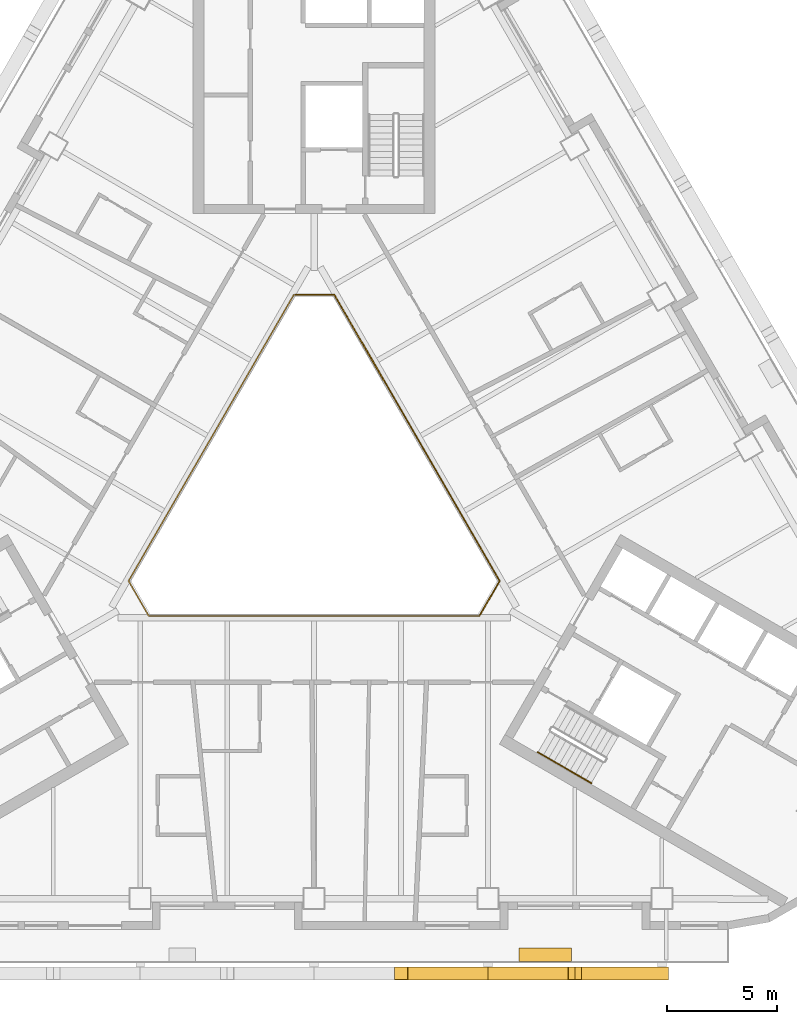
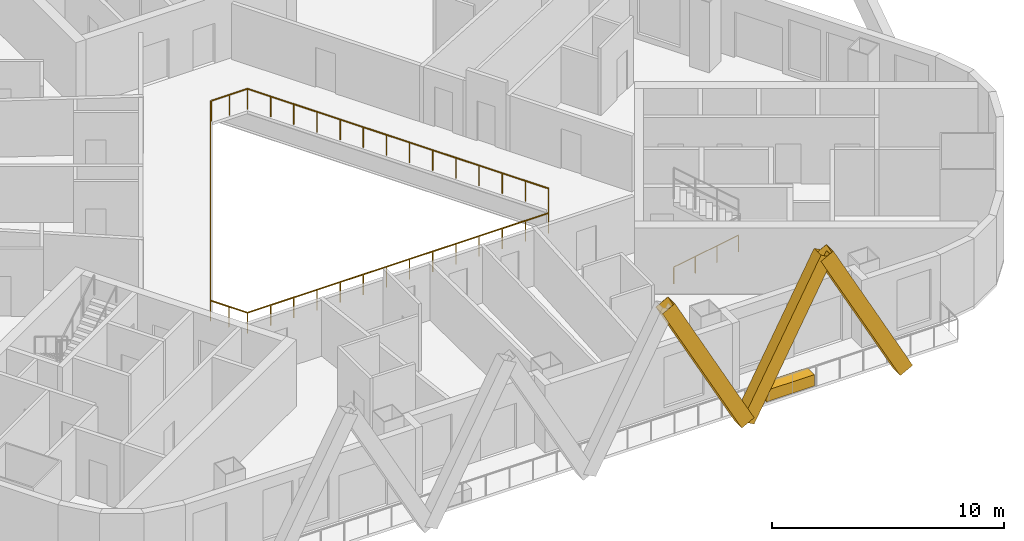
# One storey, part 11 of 14: 3 railings, 3 shading devices, 1 covering.
"""IFC4 building model written with IfcOpenShell, lengths in metres."""

from ifc_helpers import new_model, si_unit, direction, frame, origin, origin_2d, place, context, subcontext, project, spatial, rectangle, hollow_rectangle, circle, extrude, material, material_profile, profile_set, type_object, element, save


model = new_model("IFC4")

# Units and contexts
model_context = context("Model", 3, precision=1e-05, world=origin(), true_north=direction((0.0, 1.0)))
body_context = subcontext(model_context, "Body", "Model", "MODEL_VIEW")
ifc_project = project(units=[si_unit("LENGTHUNIT", "METRE"), si_unit("AREAUNIT", "SQUARE_METRE"), si_unit("VOLUMEUNIT", "CUBIC_METRE"), si_unit("PLANEANGLEUNIT", "RADIAN"), si_unit("MASSUNIT", "GRAM", prefix="KILO")], contexts=[model_context])

# Site, building, storey
site_placement = place(None, origin())
site = spatial("IfcSite", under=ifc_project, at=site_placement, CompositionType="ELEMENT")
building_placement = place(site_placement, origin())
building = spatial("IfcBuilding", under=site, at=building_placement, Name="Apuvela Tower Hotel", CompositionType="ELEMENT")
storey_placement = place(building_placement, frame((0.0, 0.0, 76.10009765625)))
storey = spatial("IfcBuildingStorey", under=building, at=storey_placement, Name="L16", CompositionType="ELEMENT", Elevation=76.10009765625)

# Railing
ifc_material_1 = material(Name="Stainless steel 316 handrail", Category="steel")
railing_type_1 = type_object("IfcRailingType", Name="COR-HANDRAIL-900", PredefinedType="HANDRAIL", material=ifc_material_1)
railing_1_placement = place(storey_placement, frame((10.1689453125, -11.5869140625, 0.16796875)))
element("IfcRailing", 1, at=railing_1_placement, inside=storey, type_object=railing_type_1, Name="L16 ST3 stair handrail 1", PredefinedType="HANDRAIL", context=body_context, shape_type="SweptSolid", body=[
    extrude(circle(Radius=0.02392578125, at=origin_2d()), frame((0.0, 0.0, 0.8759765625), z_axis=(0.742390482028, -0.42860119049, 0.514934356695), x_axis=(0.49998411664, 0.866034573852, 0.0)), (0.0, 0.0, 1.0), 3.26611328125),
    extrude(rectangle(XDim=0.0419921875, YDim=0.0419921875, at=origin_2d()), origin(), (0.0, 0.0, 1.0), 0.851806640625),
    extrude(rectangle(XDim=0.0419921875, YDim=0.0419921875, at=origin_2d()), frame((0.808349609375, -0.466552734375, 0.560546875)), (0.0, 0.0, 1.0), 0.851806640625),
    extrude(rectangle(XDim=0.0419921875, YDim=0.0419921875, at=origin_2d()), frame((1.616455078125, -0.933349609375, 1.121337890625)), (0.0, 0.0, 1.0), 0.851806640625),
    extrude(rectangle(XDim=0.0419921875, YDim=0.0419921875, at=origin_2d()), frame((2.4248046875, -1.39990234375, 1.681884765625)), (0.0, 0.0, 1.0), 0.851806640625),
])

# Shading devices
ifc_material_2 = material(Name="Aluminium 6063-T6, black anodised", Category="aluminium")
ifc_material_profile = material_profile(ifc_material_2, hollow_rectangle(XDim=0.60009765625, YDim=0.699951171875, WallThickness=0.011962890625, at=origin_2d()), Name="AL BOX 700x600x12")
ifc_profile_set = profile_set([ifc_material_profile], Name="Aluminium 6063-T6, black anodised")
shading_device_type = type_object("IfcShadingDeviceType", Name="ENV-FIN-700x600", PredefinedType="USERDEFINED", material=ifc_profile_set)
for number, where, z_axis, x_axis, name in (
    (2, (7.89990234375, -21.6298828125, -0.10009765625), (-0.470897892863, 0.0, 0.882187720668), (0.0, -1.0, 0.0), "Lattice fin S38"),
    (3, (7.89990234375, -21.6298828125, -0.10009765625), (0.470920543904, 0.0, 0.882175629526), (0.0, 1.0, 0.0), "Lattice fin S39"),
    (4, (15.800048828125, -21.6298828125, -0.10009765625), (-0.470897892863, 0.0, 0.882187720668), (0.0, -1.0, 0.0), "Lattice fin S40"),
):
    element("IfcShadingDevice", number, at=place(storey_placement, frame(where, z_axis=z_axis, x_axis=x_axis)), inside=storey, type_object=shading_device_type, Name=name, ObjectType="FIN", PredefinedType="USERDEFINED", context=body_context, shape_type="SweptSolid", body=[
        extrude(hollow_rectangle(XDim=0.60009765625, YDim=0.699951171875, WallThickness=0.011962890625, at=origin_2d()), origin(), (0.0, 0.0, 1.0), 8.38818359375),
    ])

# Railings
ifc_material_3 = material(Name="Stainless steel 316 rail with laminated glass infill", Category="steel")
railing_type_2 = type_object("IfcRailingType", Name="ENV-GUARD-1100", PredefinedType="GUARDRAIL", material=ifc_material_3)
railing_2_placement = place(storey_placement, frame((-0.923828125, 9.199951171875, 0.0)))
element("IfcRailing", 5, at=railing_2_placement, inside=storey, type_object=railing_type_2, Name="Atrium void guard A L16", PredefinedType="GUARDRAIL", context=body_context, shape_type="SweptSolid", body=[
    extrude(rectangle(XDim=0.050048828125, YDim=0.050048828125, at=origin_2d()), frame((0.0, 0.0, 1.0751953125), z_axis=(-0.499990886379, -0.866030665472, 0.0), x_axis=(0.866030665472, -0.499990886379, 0.0)), (0.0, 0.0, 1.0), 15.010986328125),
    extrude(rectangle(XDim=0.050048828125, YDim=0.050048828125, at=origin_2d()), frame((-7.50537109375, -13.0, 1.0751953125), z_axis=(0.499962699187, -0.866046938348, 0.0), x_axis=(0.866046938348, 0.499962699187, 0.0)), (0.0, 0.0, 1.0), 1.847412109375),
    extrude(rectangle(XDim=0.050048828125, YDim=0.050048828125, at=origin_2d()), frame((-6.581787109375, -14.599853515625, 1.0751953125), z_axis=(1.0, 0.0, 0.0), x_axis=(0.0, 1.0, 0.0)), (0.0, 0.0, 1.0), 15.01123046875),
    extrude(rectangle(XDim=0.0400390625, YDim=0.0400390625, at=origin_2d()), origin(), (0.0, 0.0, 1.0), 1.050048828125),
    extrude(rectangle(XDim=0.0400390625, YDim=0.0400390625, at=origin_2d()), frame((-0.577392578125, -1.0, 0.0)), (0.0, 0.0, 1.0), 1.050048828125),
    extrude(rectangle(XDim=0.0400390625, YDim=0.0400390625, at=origin_2d()), frame((-1.15478515625, -2.0, 0.0)), (0.0, 0.0, 1.0), 1.050048828125),
    extrude(rectangle(XDim=0.0400390625, YDim=0.0400390625, at=origin_2d()), frame((-1.73193359375, -3.0, 0.0)), (0.0, 0.0, 1.0), 1.050048828125),
    extrude(rectangle(XDim=0.0400390625, YDim=0.0400390625, at=origin_2d()), frame((-2.309326171875, -4.0, 0.0)), (0.0, 0.0, 1.0), 1.050048828125),
    extrude(rectangle(XDim=0.0400390625, YDim=0.0400390625, at=origin_2d()), frame((-2.88671875, -5.0, 0.0)), (0.0, 0.0, 1.0), 1.050048828125),
    extrude(rectangle(XDim=0.0400390625, YDim=0.0400390625, at=origin_2d()), frame((-3.464111328125, -6.0, 0.0)), (0.0, 0.0, 1.0), 1.050048828125),
    extrude(rectangle(XDim=0.0400390625, YDim=0.0400390625, at=origin_2d()), frame((-4.041259765625, -7.0, 0.0)), (0.0, 0.0, 1.0), 1.050048828125),
    extrude(rectangle(XDim=0.0400390625, YDim=0.0400390625, at=origin_2d()), frame((-4.61865234375, -8.0, 0.0)), (0.0, 0.0, 1.0), 1.050048828125),
    extrude(rectangle(XDim=0.0400390625, YDim=0.0400390625, at=origin_2d()), frame((-5.196044921875, -9.0, 0.0)), (0.0, 0.0, 1.0), 1.050048828125),
    extrude(rectangle(XDim=0.0400390625, YDim=0.0400390625, at=origin_2d()), frame((-5.7734375, -10.0, 0.0)), (0.0, 0.0, 1.0), 1.050048828125),
    extrude(rectangle(XDim=0.0400390625, YDim=0.0400390625, at=origin_2d()), frame((-6.3505859375, -11.0, 0.0)), (0.0, 0.0, 1.0), 1.050048828125),
    extrude(rectangle(XDim=0.0400390625, YDim=0.0400390625, at=origin_2d()), frame((-6.927978515625, -12.0, 0.0)), (0.0, 0.0, 1.0), 1.050048828125),
    extrude(rectangle(XDim=0.0400390625, YDim=0.0400390625, at=origin_2d()), frame((-7.50537109375, -13.0, 0.0)), (0.0, 0.0, 1.0), 1.050048828125),
    extrude(rectangle(XDim=0.0400390625, YDim=0.0400390625, at=origin_2d()), frame((-7.04345703125, -13.7998046875, 0.0)), (0.0, 0.0, 1.0), 1.050048828125),
    extrude(rectangle(XDim=0.0400390625, YDim=0.0400390625, at=origin_2d()), frame((-6.581787109375, -14.599853515625, 0.0)), (0.0, 0.0, 1.0), 1.050048828125),
    extrude(rectangle(XDim=0.0400390625, YDim=0.0400390625, at=origin_2d()), frame((-5.427001953125, -14.599853515625, 0.0)), (0.0, 0.0, 1.0), 1.050048828125),
    extrude(rectangle(XDim=0.0400390625, YDim=0.0400390625, at=origin_2d()), frame((-4.2724609375, -14.599853515625, 0.0)), (0.0, 0.0, 1.0), 1.050048828125),
    extrude(rectangle(XDim=0.0400390625, YDim=0.0400390625, at=origin_2d()), frame((-3.11767578125, -14.599853515625, 0.0)), (0.0, 0.0, 1.0), 1.050048828125),
    extrude(rectangle(XDim=0.0400390625, YDim=0.0400390625, at=origin_2d()), frame((-1.962890625, -14.599853515625, 0.0)), (0.0, 0.0, 1.0), 1.050048828125),
    extrude(rectangle(XDim=0.0400390625, YDim=0.0400390625, at=origin_2d()), frame((-0.808349609375, -14.599853515625, 0.0)), (0.0, 0.0, 1.0), 1.050048828125),
    extrude(rectangle(XDim=0.0400390625, YDim=0.0400390625, at=origin_2d()), frame((0.346435546875, -14.599853515625, 0.0)), (0.0, 0.0, 1.0), 1.050048828125),
    extrude(rectangle(XDim=0.0400390625, YDim=0.0400390625, at=origin_2d()), frame((1.501220703125, -14.599853515625, 0.0)), (0.0, 0.0, 1.0), 1.050048828125),
    extrude(rectangle(XDim=0.0400390625, YDim=0.0400390625, at=origin_2d()), frame((2.656005859375, -14.599853515625, 0.0)), (0.0, 0.0, 1.0), 1.050048828125),
    extrude(rectangle(XDim=0.0400390625, YDim=0.0400390625, at=origin_2d()), frame((3.810546875, -14.599853515625, 0.0)), (0.0, 0.0, 1.0), 1.050048828125),
    extrude(rectangle(XDim=0.0400390625, YDim=0.0400390625, at=origin_2d()), frame((4.96533203125, -14.599853515625, 0.0)), (0.0, 0.0, 1.0), 1.050048828125),
    extrude(rectangle(XDim=0.0400390625, YDim=0.0400390625, at=origin_2d()), frame((6.1201171875, -14.599853515625, 0.0)), (0.0, 0.0, 1.0), 1.050048828125),
    extrude(rectangle(XDim=0.0400390625, YDim=0.0400390625, at=origin_2d()), frame((7.274658203125, -14.599853515625, 0.0)), (0.0, 0.0, 1.0), 1.050048828125),
    extrude(rectangle(XDim=0.0400390625, YDim=0.0400390625, at=origin_2d()), frame((8.429443359375, -14.599853515625, 0.0)), (0.0, 0.0, 1.0), 1.050048828125),
])
railing_3_placement = place(storey_placement, frame((7.53564453125, -5.347900390625, 0.0)))
element("IfcRailing", 6, at=railing_3_placement, inside=storey, type_object=railing_type_2, Name="Atrium void guard B L16", PredefinedType="GUARDRAIL", context=body_context, shape_type="SweptSolid", body=[
    extrude(rectangle(XDim=0.050048828125, YDim=0.050048828125, at=origin_2d()), frame((0.0, 0.0, 1.0751953125), z_axis=(0.499958946799, 0.866049104564, 0.0), x_axis=(-0.866049104564, 0.499958946799, 0.0)), (0.0, 0.0, 1.0), 1.787353515625),
    extrude(rectangle(XDim=0.050048828125, YDim=0.050048828125, at=origin_2d()), frame((0.8935546875, 1.5478515625, 1.0751953125), z_axis=(-0.499990886379, 0.866030665472, 0.0), x_axis=(-0.866030665472, -0.499990886379, 0.0)), (0.0, 0.0, 1.0), 15.010986328125),
    extrude(rectangle(XDim=0.050048828125, YDim=0.050048828125, at=origin_2d()), frame((-6.61181640625, 14.5478515625, 1.0751953125), z_axis=(-1.0, 0.0, 0.0), x_axis=(0.0, -1.0, 0.0)), (0.0, 0.0, 1.0), 1.78759765625),
    extrude(rectangle(XDim=0.0400390625, YDim=0.0400390625, at=origin_2d()), origin(), (0.0, 0.0, 1.0), 1.050048828125),
    extrude(rectangle(XDim=0.0400390625, YDim=0.0400390625, at=origin_2d()), frame((0.44677734375, 0.77392578125, 0.0)), (0.0, 0.0, 1.0), 1.050048828125),
    extrude(rectangle(XDim=0.0400390625, YDim=0.0400390625, at=origin_2d()), frame((0.8935546875, 1.5478515625, 0.0)), (0.0, 0.0, 1.0), 1.050048828125),
    extrude(rectangle(XDim=0.0400390625, YDim=0.0400390625, at=origin_2d()), frame((0.316162109375, 2.5478515625, 0.0)), (0.0, 0.0, 1.0), 1.050048828125),
    extrude(rectangle(XDim=0.0400390625, YDim=0.0400390625, at=origin_2d()), frame((-0.26123046875, 3.5478515625, 0.0)), (0.0, 0.0, 1.0), 1.050048828125),
    extrude(rectangle(XDim=0.0400390625, YDim=0.0400390625, at=origin_2d()), frame((-0.83837890625, 4.5478515625, 0.0)), (0.0, 0.0, 1.0), 1.050048828125),
    extrude(rectangle(XDim=0.0400390625, YDim=0.0400390625, at=origin_2d()), frame((-1.415771484375, 5.5478515625, 0.0)), (0.0, 0.0, 1.0), 1.050048828125),
    extrude(rectangle(XDim=0.0400390625, YDim=0.0400390625, at=origin_2d()), frame((-1.9931640625, 6.5478515625, 0.0)), (0.0, 0.0, 1.0), 1.050048828125),
    extrude(rectangle(XDim=0.0400390625, YDim=0.0400390625, at=origin_2d()), frame((-2.570556640625, 7.5478515625, 0.0)), (0.0, 0.0, 1.0), 1.050048828125),
    extrude(rectangle(XDim=0.0400390625, YDim=0.0400390625, at=origin_2d()), frame((-3.147705078125, 8.5478515625, 0.0)), (0.0, 0.0, 1.0), 1.050048828125),
    extrude(rectangle(XDim=0.0400390625, YDim=0.0400390625, at=origin_2d()), frame((-3.72509765625, 9.5478515625, 0.0)), (0.0, 0.0, 1.0), 1.050048828125),
    extrude(rectangle(XDim=0.0400390625, YDim=0.0400390625, at=origin_2d()), frame((-4.302490234375, 10.5478515625, 0.0)), (0.0, 0.0, 1.0), 1.050048828125),
    extrude(rectangle(XDim=0.0400390625, YDim=0.0400390625, at=origin_2d()), frame((-4.8798828125, 11.5478515625, 0.0)), (0.0, 0.0, 1.0), 1.050048828125),
    extrude(rectangle(XDim=0.0400390625, YDim=0.0400390625, at=origin_2d()), frame((-5.45703125, 12.5478515625, 0.0)), (0.0, 0.0, 1.0), 1.050048828125),
    extrude(rectangle(XDim=0.0400390625, YDim=0.0400390625, at=origin_2d()), frame((-6.034423828125, 13.5478515625, 0.0)), (0.0, 0.0, 1.0), 1.050048828125),
    extrude(rectangle(XDim=0.0400390625, YDim=0.0400390625, at=origin_2d()), frame((-6.61181640625, 14.5478515625, 0.0)), (0.0, 0.0, 1.0), 1.050048828125),
    extrude(rectangle(XDim=0.0400390625, YDim=0.0400390625, at=origin_2d()), frame((-7.505615234375, 14.5478515625, 0.0)), (0.0, 0.0, 1.0), 1.050048828125),
    extrude(rectangle(XDim=0.0400390625, YDim=0.0400390625, at=origin_2d()), frame((-8.3994140625, 14.5478515625, 0.0)), (0.0, 0.0, 1.0), 1.050048828125),
])

# Covering
ifc_material_4 = material(Name="Planting substrate and soil, planted")
covering_type = type_object("IfcCoveringType", Name="ENV-PLANTER-2400x600", PredefinedType="USERDEFINED", material=ifc_material_4)
covering_placement = place(storey_placement, frame((10.5, -20.780029296875, -0.000244140625), z_axis=(0.0, 0.0, 1.0), x_axis=(1.0, 0.0, 0.0)))
element("IfcCovering", 7, at=covering_placement, inside=storey, type_object=covering_type, Name="Planter S2", ObjectType="PLANTER", PredefinedType="USERDEFINED", context=body_context, shape_type="SweptSolid", body=[
    extrude(rectangle(XDim=2.39990234375, YDim=0.60009765625, at=origin_2d()), origin(), (0.0, 0.0, 1.0), 0.60009765625),
])

save(model, "model.ifc")
